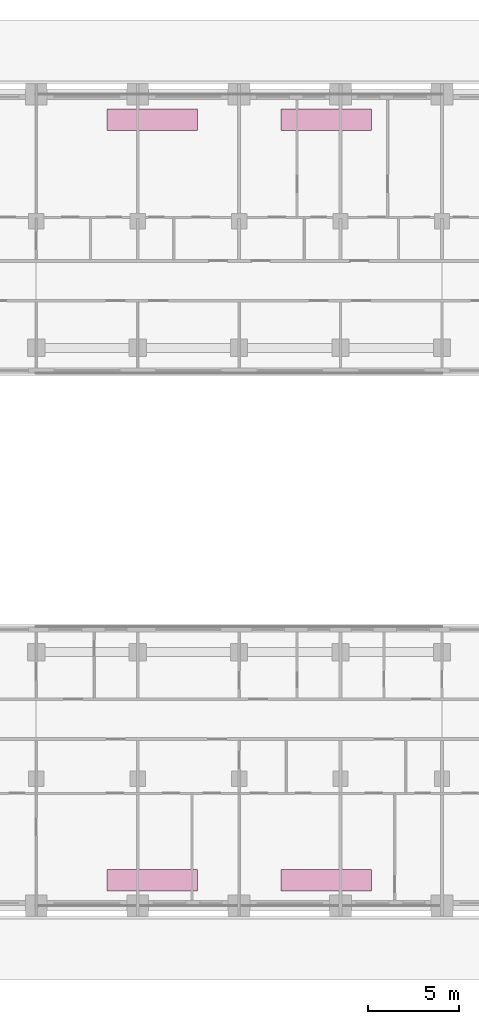
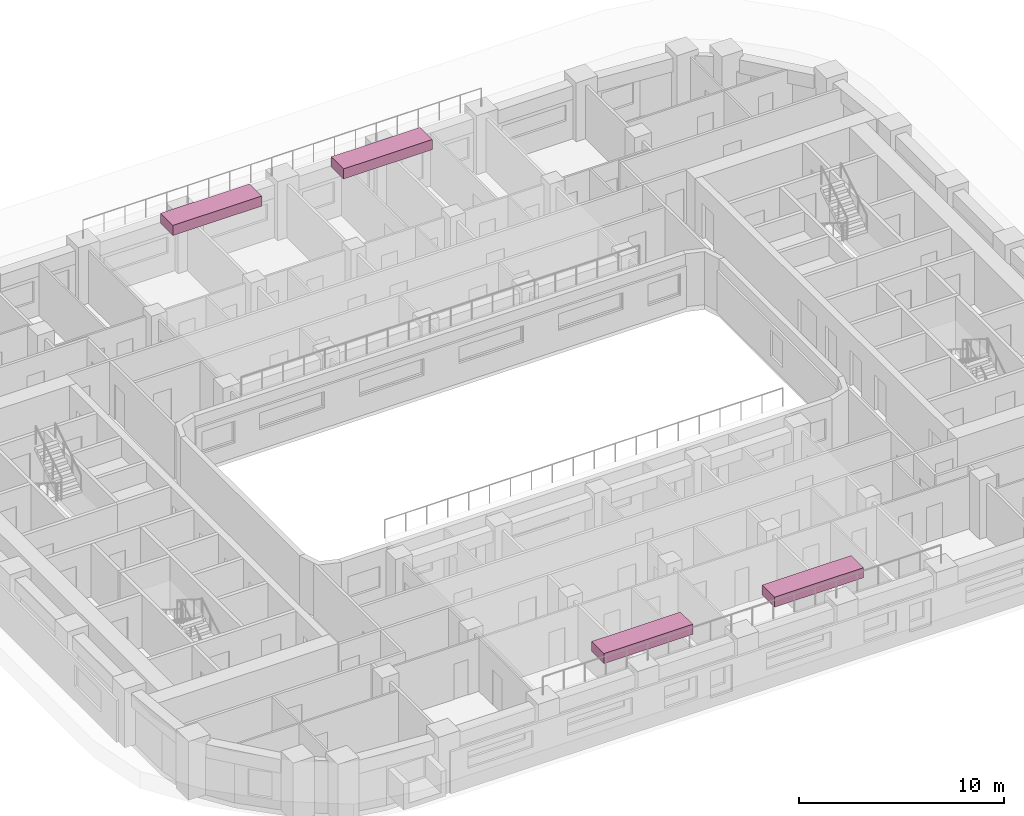
# One storey, part 18 of 18: 4 furnishings.
"""IFC4 building model written with IfcOpenShell, lengths in metres."""

from ifc_helpers import new_model, si_unit, direction, frame, origin, origin_2d, place, context, subcontext, project, spatial, rectangle, extrude, material, type_object, element, save


model = new_model("IFC4")

# Units and contexts
model_context = context("Model", 3, precision=1e-05, world=origin(), true_north=direction((0.0, 1.0)))
body_context = subcontext(model_context, "Body", "Model", "MODEL_VIEW")
ifc_project = project(units=[si_unit("LENGTHUNIT", "METRE"), si_unit("AREAUNIT", "SQUARE_METRE"), si_unit("VOLUMEUNIT", "CUBIC_METRE"), si_unit("PLANEANGLEUNIT", "RADIAN"), si_unit("MASSUNIT", "GRAM", prefix="KILO")], contexts=[model_context])

# Site, building, storey
site_placement = place(None, origin())
site = spatial("IfcSite", under=ifc_project, at=site_placement, CompositionType="ELEMENT")
building_placement = place(site_placement, origin())
building = spatial("IfcBuilding", under=site, at=building_placement, Name="Kiln Ring Residences", CompositionType="ELEMENT")
storey_placement = place(building_placement, frame((0.0, 0.0, 121.800048828125)))
storey = spatial("IfcBuildingStorey", under=building, at=storey_placement, Name="L31", CompositionType="ELEMENT", Elevation=121.800048828125)

# Furnishings
ifc_material = material(Name="Brick masonry, dark clay brick", Category="masonry")
furnishing_element_type = type_object("IfcFurnishingElementType", Name="PLANTER 1200 x 600", material=ifc_material)
for number, where, z_axis, x_axis, name in (
    (1, (-4.800048828125, 21.0, 3.5), (0.0, 0.0, 1.0), (1.0, 0.0, 0.0), "PLANTER L31 1"),
    (2, (4.800048828125, 21.0, 3.5), (0.0, 0.0, 1.0), (1.0, 0.0, 0.0), "PLANTER L31 2"),
    (3, (-4.800048828125, -21.0, 3.5), (0.0, 0.0, 1.0), (1.0, 0.0, 0.0), "PLANTER L31 1"),
    (4, (4.800048828125, -21.0, 3.5), (0.0, 0.0, 1.0), (1.0, 0.0, 0.0), "PLANTER L31 2"),
):
    element("IfcFurnishingElement", number, at=place(storey_placement, frame(where, z_axis=z_axis, x_axis=x_axis)), inside=storey, type_object=furnishing_element_type, Name=name, ObjectType="PLANTER", context=body_context, shape_type="SweptSolid", body=[
        extrude(rectangle(XDim=5.0, YDim=1.199951171875, at=origin_2d()), origin(), (0.0, 0.0, 1.0), 0.60009765625),
    ])

save(model, "model.ifc")
